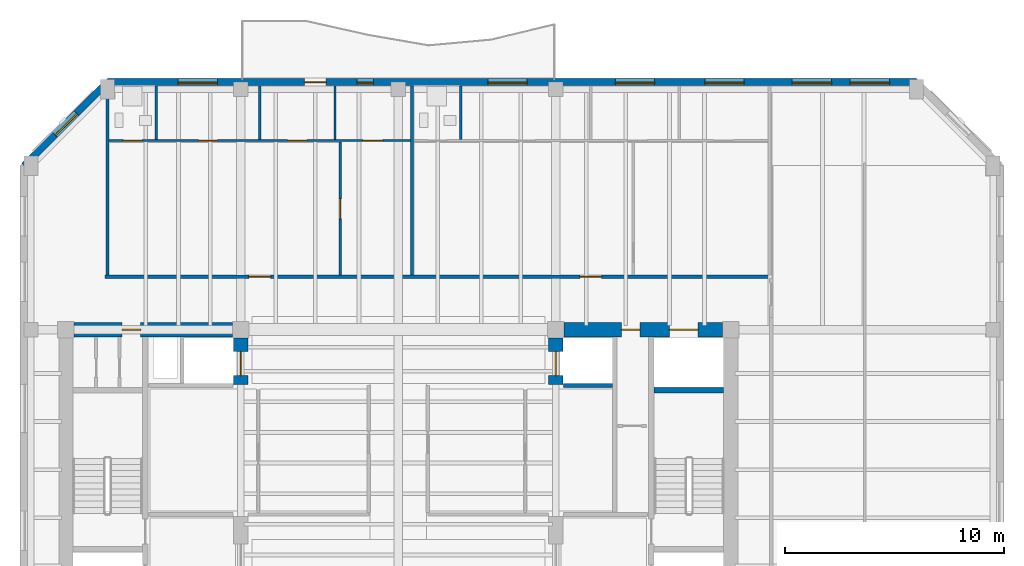
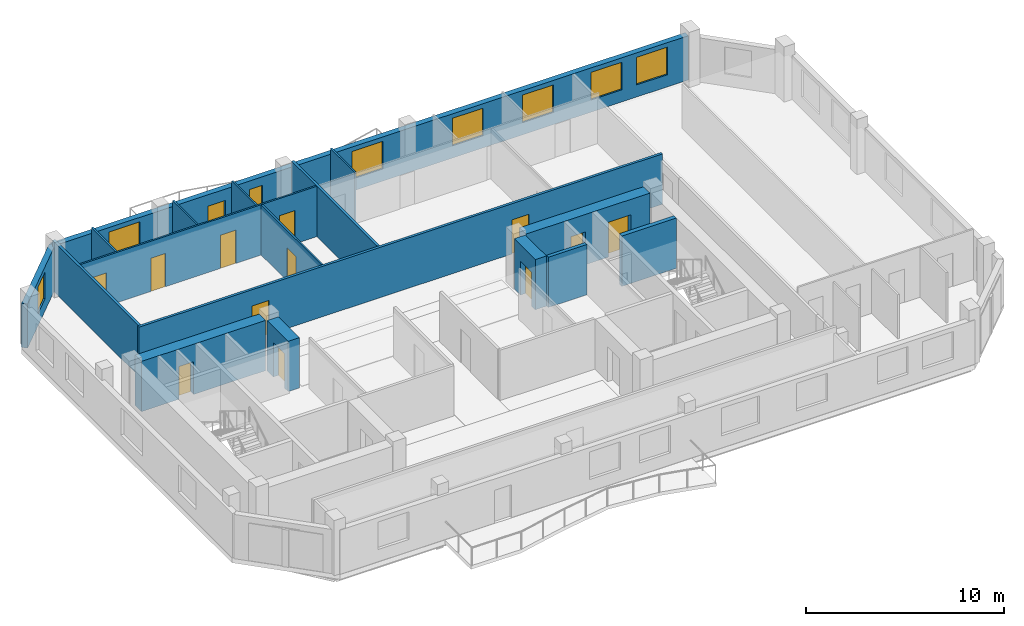
# One storey, part 4 of 9: 17 walls, 13 doors, 8 windows, 21 openings.
"""IFC4 building model written with IfcOpenShell, lengths in metres."""

import ifcopenshell
import ifcopenshell.guid

model = None  # the IFC model being written
_history = None  # IfcOwnerHistory: only IFC2X3 demands one
_inside = {}  # id of a spatial element -> (the spatial element, [elements in it])
_under = {}  # id of a project, library or spatial element -> (it, [spatial elements below it])
_declared = {}  # id of a project -> (the project, [libraries it declares])
_typed = {}  # id of a type object -> (the type object, [elements of that type])
_made_of = {}  # id of a material, layer set ... -> (it, [elements and type objects made of it])


def new_model(schema):
    """Start an empty IFC model of exactly this schema.

    Asked for "IFC4X3", IfcOpenShell would pick the latest addendum, in which some entities
    have other attributes; the version numbers below select the first issue.
    IFC2X3 requires an IfcOwnerHistory on every rooted entity: one is made here for all.
    """
    global model, _history
    if schema == "IFC4X3":
        model = ifcopenshell.file(schema_version=(4, 3, 0, 0))
    else:
        model = ifcopenshell.file(schema=schema)
    _inside.clear()
    _under.clear()
    _declared.clear()
    _typed.clear()
    _made_of.clear()
    _history = None
    if model.schema == "IFC2X3":
        org = make("IfcOrganization", Name="unknown")
        user = make(
            "IfcPersonAndOrganization",
            ThePerson=make("IfcPerson", FamilyName="unknown"),
            TheOrganization=org,
        )
        app = make(
            "IfcApplication",
            ApplicationDeveloper=org,
            Version="unknown",
            ApplicationFullName="unknown",
            ApplicationIdentifier="unknown",
        )
        _history = make(
            "IfcOwnerHistory",
            OwningUser=user,
            OwningApplication=app,
            ChangeAction="ADDED",
            CreationDate=0,
        )
    return model


def make(cls, **values):
    """One entity of the class cls with the attributes given. An attribute that is None is left unset."""
    return model.create_entity(
        cls, **{name: value for name, value in values.items() if value is not None}
    )


def rooted(cls, **values):
    """An entity with a GlobalId (a new one), such as an element, a storey or a relation."""
    return make(cls, GlobalId=ifcopenshell.guid.new(), OwnerHistory=_history, **values)


def si_unit(unit_type, name, prefix=None):
    """IfcSIUnit, for example si_unit("LENGTHUNIT", "METRE", prefix="MILLI")."""
    return make("IfcSIUnit", UnitType=unit_type, Prefix=prefix, Name=name)


def assignment(units):
    """IfcUnitAssignment: the units of a project."""
    return None if units is None else make("IfcUnitAssignment", Units=units)


def point(xyz):
    """IfcCartesianPoint."""
    return None if xyz is None else make("IfcCartesianPoint", Coordinates=xyz)


def direction(xyz):
    """IfcDirection."""
    return None if xyz is None else make("IfcDirection", DirectionRatios=xyz)


def frame(location, z_axis=None, x_axis=None):
    """IfcAxis2Placement3D, a coordinate frame: its origin and axes. An axis left out is left unset."""
    return make(
        "IfcAxis2Placement3D",
        Location=point(location),
        Axis=direction(z_axis),
        RefDirection=direction(x_axis),
    )


def frame_2d(location, x_axis=None):
    """IfcAxis2Placement2D, a coordinate frame in the plane: its origin and x axis."""
    return make(
        "IfcAxis2Placement2D", Location=point(location), RefDirection=direction(x_axis)
    )


def origin():
    """The frame at (0, 0, 0) with its axes left unset."""
    return frame((0.0, 0.0, 0.0))


def place(relative_to, where):
    """IfcLocalPlacement: puts the frame where relative to a parent placement (None: the world)."""
    return make(
        "IfcLocalPlacement", PlacementRelTo=relative_to, RelativePlacement=where
    )


def context(
    kind, dimensions, precision=None, world=None, true_north=None, identifier=None
):
    """IfcGeometricRepresentationContext, for example the 3D "Model" context."""
    return make(
        "IfcGeometricRepresentationContext",
        ContextIdentifier=identifier,
        ContextType=kind,
        CoordinateSpaceDimension=dimensions,
        Precision=precision,
        WorldCoordinateSystem=world,
        TrueNorth=true_north,
    )


def subcontext(parent, identifier, kind, view, scale=None):
    """IfcGeometricRepresentationSubContext, for example "Body" below "Model"."""
    return make(
        "IfcGeometricRepresentationSubContext",
        ContextIdentifier=identifier,
        ContextType=kind,
        ParentContext=parent,
        TargetScale=scale,
        TargetView=view,
    )


def project(units=None, contexts=None):
    """IfcProject with its units and contexts."""
    return rooted(
        "IfcProject",
        Name="project",
        RepresentationContexts=contexts,
        UnitsInContext=assignment(units),
    )


def spatial(cls, under=None, at=None, **own):
    """A site, building, storey or space (cls), placed at a placement, below another one or the project."""
    s = rooted(cls, ObjectPlacement=at, **own)
    if under is not None:
        _under.setdefault(under.id(), (under, []))[1].append(s)
    return s


def profile(cls, at=None, kind="AREA", **sizes):
    """A parametric profile (cls). Its sizes go by their IFC names, for example OverallWidth=200.0."""
    return make(cls, ProfileType=kind, Position=at, **sizes)


def rectangle(**sizes):
    """IfcRectangleProfileDef."""
    return profile("IfcRectangleProfileDef", **sizes)


def extrude(swept, where, along, depth):
    """IfcExtrudedAreaSolid: the profile swept, set in the frame where, extruded along a direction by depth."""
    return make(
        "IfcExtrudedAreaSolid",
        SweptArea=swept,
        Position=where,
        ExtrudedDirection=direction(along),
        Depth=depth,
    )


def shape(context_of_items, identifier, shape_type, items):
    """IfcShapeRepresentation: the items that make up one representation, for example the "Body"."""
    return make(
        "IfcShapeRepresentation",
        ContextOfItems=context_of_items,
        RepresentationIdentifier=identifier,
        RepresentationType=shape_type,
        Items=items,
    )


def material(Name=None, Category=None):
    """IfcMaterial."""
    return make("IfcMaterial", Name=Name, Category=Category)


def layer(
    of_material, thickness, ventilated=None, Name=None, Category=None, Priority=None
):
    """IfcMaterialLayer: one layer of a wall or slab, of a material (None: an air gap)."""
    return make(
        "IfcMaterialLayer",
        Material=of_material,
        LayerThickness=thickness,
        IsVentilated=ventilated,
        Name=Name,
        Category=Category,
        Priority=Priority,
    )


def layer_set(layers, Name=None):
    """IfcMaterialLayerSet."""
    return make("IfcMaterialLayerSet", MaterialLayers=layers, LayerSetName=Name)


def made_of(thing, what):
    """Note that an element or type object is made of a material, layer set ...; save() writes the relation."""
    if what is not None:
        _made_of.setdefault(what.id(), (what, []))[1].append(thing)
    return thing


def type_object(cls, material=None, **own):
    """A type object (cls), such as IfcWallType, which elements share."""
    return made_of(rooted(cls, **own), material)


def element(
    cls,
    number,
    at=None,
    inside=None,
    cuts=None,
    type_object=None,
    material=None,
    context=None,
    identifier="Body",
    shape_type=None,
    held_by="IfcProductDefinitionShape",
    body=None,
    shapes=None,
    **own,
):
    """One element of the class cls, such as IfcWall. Its Tag is "e" and its number.

    at: its placement. inside: the storey or other place that contains it. cuts: it is an
    opening in that element (IfcRelVoidsElement). A single representation is given by context,
    identifier, shape_type and body (its items); several are given by shapes. held_by: the class
    of the entity that holds the representations. save() writes the other relations.
    """
    e = rooted(cls, Tag="e%d" % number, ObjectPlacement=at, **own)
    if body is not None:
        shapes = [shape(context, identifier, shape_type, body)]
    if shapes is not None:
        e.Representation = make(held_by, Representations=shapes)
    if inside is not None:
        _inside.setdefault(inside.id(), (inside, []))[1].append(e)
    if cuts is not None:
        rooted(
            "IfcRelVoidsElement", RelatingBuildingElement=cuts, RelatedOpeningElement=e
        )
    if type_object is not None:
        _typed.setdefault(type_object.id(), (type_object, []))[1].append(e)
    return made_of(e, material)


def fill(opening, filler):
    """IfcRelFillsElement: the door or window that sits in an opening."""
    return rooted(
        "IfcRelFillsElement",
        RelatingOpeningElement=opening,
        RelatedBuildingElement=filler,
    )


def aggregate(whole, parts):
    """IfcRelAggregates: a whole, such as a stair, and the parts it consists of."""
    return rooted("IfcRelAggregates", RelatingObject=whole, RelatedObjects=parts)


def save(model, path):
    """Write the relations noted so far, then the file.

    IfcRelAggregates (storeys below a building ...), IfcRelContainedInSpatialStructure (elements
    in a storey), IfcRelDefinesByType, IfcRelAssociatesMaterial and IfcRelDeclares: one each for
    every whole, place, type object, material and project.
    """
    for whole, parts in _under.values():
        aggregate(whole, parts)
    for where, things in _inside.values():
        rooted(
            "IfcRelContainedInSpatialStructure",
            RelatedElements=things,
            RelatingStructure=where,
        )
    for kind, things in _typed.values():
        rooted("IfcRelDefinesByType", RelatedObjects=things, RelatingType=kind)
    for what, things in _made_of.values():
        rooted("IfcRelAssociatesMaterial", RelatedObjects=things, RelatingMaterial=what)
    for by, libraries in _declared.values():
        rooted("IfcRelDeclares", RelatingContext=by, RelatedDefinitions=libraries)
    model.write(path)


model = new_model("IFC4")

# Units and contexts
model_context = context("Model", 3, precision=1e-05, world=origin(), true_north=direction((0.0, 1.0)))
body_context = subcontext(model_context, "Body", "Model", "MODEL_VIEW")
ifc_project = project(units=[si_unit("LENGTHUNIT", "METRE"), si_unit("AREAUNIT", "SQUARE_METRE"), si_unit("VOLUMEUNIT", "CUBIC_METRE"), si_unit("PLANEANGLEUNIT", "RADIAN"), si_unit("MASSUNIT", "GRAM", prefix="KILO")], contexts=[model_context])

# Site, building, storey
site_placement = place(None, origin())
site = spatial("IfcSite", under=ifc_project, at=site_placement, CompositionType="ELEMENT")
building_placement = place(site_placement, origin())
building = spatial("IfcBuilding", under=site, at=building_placement, Name="Kranthara Brick Stack", CompositionType="ELEMENT")
storey_placement = place(building_placement, frame((0.0, 0.0, 255.10009765625)))
storey = spatial("IfcBuildingStorey", under=building, at=storey_placement, Name="L67", CompositionType="ELEMENT", Elevation=255.10009765625)

# Wall, opening, window
ifc_material_1 = material(Name="Warm buff clay brick masonry M15", Category="masonry")
ifc_layer_1 = layer(ifc_material_1, 0.320068359375)
ifc_layer_set_1 = layer_set([ifc_layer_1], Name="Warm buff clay brick masonry M15")
wall_type_1 = type_object("IfcWallType", Name="WL-BRK-UPPR-320", PredefinedType="STANDARD", material=ifc_layer_set_1)
wall_1_placement = place(storey_placement, frame((10.8798828125, 41.10009765625, 0.0), z_axis=(0.0, 0.0, 1.0), x_axis=(0.70712937715, 0.707084184501, 0.0)))
wall_1 = element("IfcWall", 1, at=wall_1_placement, inside=storey, type_object=wall_type_1, Name="L67 Exterior Brick Facade Wall NW 1", PredefinedType="STANDARD", context=body_context, shape_type="SweptSolid", body=[
    extrude(rectangle(XDim=5.402099609375, YDim=0.320068359375, at=frame_2d((2.701171875, 0.0))), origin(), (0.0, 0.0, 1.0), 2.724853515625),
])
opening_1_placement = place(wall_1_placement, frame((2.0009765625, 0.0, 0.75)))
opening_1 = element("IfcOpeningElement", 2, at=opening_1_placement, cuts=wall_1, Name="Opening WN10", PredefinedType="OPENING", context=body_context, shape_type="SweptSolid", body=[
    extrude(rectangle(XDim=1.39990234375, YDim=1.64990234375, at=frame_2d((0.699951171875, 0.824951171875))), frame((0.0, 0.169921875, 0.0), z_axis=(0.0, -1.0, 0.0), x_axis=(1.0, 0.0, 0.0)), (0.0, 0.0, 1.0), 0.340087890625),
])
ifc_material_2 = material(Name="Double-glazed low-E solar control glass", Category="glass")
window_type_1 = type_object("IfcWindowType", Name="WN-CHM-1400x1750", PartitioningType="SINGLE_PANEL", PredefinedType="WINDOW", material=ifc_material_2)
window_1_placement = place(opening_1_placement, origin())
window_1 = element("IfcWindow", 3, at=window_1_placement, inside=storey, type_object=window_type_1, Name="L67 NW Chamfer Corner Window", OverallHeight=1.64990234375, OverallWidth=1.39990234375, PartitioningType="SINGLE_PANEL", PredefinedType="WINDOW", context=body_context, shape_type="SweptSolid", body=[
    extrude(rectangle(XDim=1.39990234375, YDim=1.64990234375, at=frame_2d((0.699951171875, 0.824951171875))), frame((0.0, -0.010009765625, 0.0), z_axis=(0.0, -1.0, 0.0), x_axis=(1.0, 0.0, 0.0)), (0.0, 0.0, 1.0), 0.06005859375),
])
fill(opening_1, window_1)

# Wall, openings, door, windows
wall_2_placement = place(storey_placement, frame((14.699951171875, 44.919921875, 0.0), z_axis=(0.0, 0.0, 1.0), x_axis=(1.0, 0.0, 0.0)))
wall_2 = element("IfcWall", 4, at=wall_2_placement, inside=storey, type_object=wall_type_1, Name="L67 Exterior Brick Facade Wall NORTH 1", PredefinedType="STANDARD", context=body_context, shape_type="SweptSolid", body=[
    extrude(rectangle(XDim=37.0, YDim=0.320068359375, at=frame_2d((18.5, 0.0))), origin(), (0.0, 0.0, 1.0), 2.724853515625),
])
opening_2_placement = place(wall_2_placement, frame((9.0, 0.0, 0.0)))
opening_2 = element("IfcOpeningElement", 5, at=opening_2_placement, cuts=wall_2, Name="Opening D03", PredefinedType="OPENING", context=body_context, shape_type="SweptSolid", body=[
    extrude(rectangle(XDim=1.0, YDim=2.02001953125, at=frame_2d((0.5, 1.010009765625))), frame((0.0, 0.169921875, 0.0), z_axis=(0.0, -1.0, 0.0), x_axis=(1.0, 0.0, 0.0)), (0.0, 0.0, 1.0), 0.340087890625),
])
opening_3_placement = place(wall_2_placement, frame((3.22802734375, 0.0, 0.75)))
opening_3 = element("IfcOpeningElement", 6, at=opening_3_placement, cuts=wall_2, Name="Opening WN07", PredefinedType="OPENING", context=body_context, shape_type="SweptSolid", body=[
    extrude(rectangle(XDim=1.800048828125, YDim=1.699951171875, at=frame_2d((0.89990234375, 0.85009765625))), frame((0.0, 0.169921875, 0.0), z_axis=(0.0, -1.0, 0.0), x_axis=(1.0, 0.0, 0.0)), (0.0, 0.0, 1.0), 0.340087890625),
])
opening_4_placement = place(wall_2_placement, frame((17.39208984375, 0.0, 0.75)))
opening_4 = element("IfcOpeningElement", 7, at=opening_4_placement, cuts=wall_2, Name="Opening WN07", PredefinedType="OPENING", context=body_context, shape_type="SweptSolid", body=[
    extrude(rectangle(XDim=1.800048828125, YDim=1.699951171875, at=frame_2d((0.89990234375, 0.85009765625))), frame((0.0, 0.169921875, 0.0), z_axis=(0.0, -1.0, 0.0), x_axis=(1.0, 0.0, 0.0)), (0.0, 0.0, 1.0), 0.340087890625),
])
opening_5_placement = place(wall_2_placement, frame((23.22802734375, 0.0, 0.75)))
opening_5 = element("IfcOpeningElement", 8, at=opening_5_placement, cuts=wall_2, Name="Opening WN07", PredefinedType="OPENING", context=body_context, shape_type="SweptSolid", body=[
    extrude(rectangle(XDim=1.800048828125, YDim=1.699951171875, at=frame_2d((0.89990234375, 0.85009765625))), frame((0.0, 0.169921875, 0.0), z_axis=(0.0, -1.0, 0.0), x_axis=(1.0, 0.0, 0.0)), (0.0, 0.0, 1.0), 0.340087890625),
])
opening_6_placement = place(wall_2_placement, frame((27.31591796875, 0.0, 0.75)))
opening_6 = element("IfcOpeningElement", 9, at=opening_6_placement, cuts=wall_2, Name="Opening WN07", PredefinedType="OPENING", context=body_context, shape_type="SweptSolid", body=[
    extrude(rectangle(XDim=1.800048828125, YDim=1.699951171875, at=frame_2d((0.89990234375, 0.85009765625))), frame((0.0, 0.169921875, 0.0), z_axis=(0.0, -1.0, 0.0), x_axis=(1.0, 0.0, 0.0)), (0.0, 0.0, 1.0), 0.340087890625),
])
opening_7_placement = place(wall_2_placement, frame((31.31494140625, 0.0, 0.75)))
opening_7 = element("IfcOpeningElement", 10, at=opening_7_placement, cuts=wall_2, Name="Opening WN07", PredefinedType="OPENING", context=body_context, shape_type="SweptSolid", body=[
    extrude(rectangle(XDim=1.800048828125, YDim=1.699951171875, at=frame_2d((0.89990234375, 0.85009765625))), frame((0.0, 0.169921875, 0.0), z_axis=(0.0, -1.0, 0.0), x_axis=(1.0, 0.0, 0.0)), (0.0, 0.0, 1.0), 0.340087890625),
])
opening_8_placement = place(wall_2_placement, frame((33.965087890625, 0.0, 0.75)))
opening_8 = element("IfcOpeningElement", 11, at=opening_8_placement, cuts=wall_2, Name="Opening WN07", PredefinedType="OPENING", context=body_context, shape_type="SweptSolid", body=[
    extrude(rectangle(XDim=1.800048828125, YDim=1.699951171875, at=frame_2d((0.89990234375, 0.85009765625))), frame((0.0, 0.169921875, 0.0), z_axis=(0.0, -1.0, 0.0), x_axis=(1.0, 0.0, 0.0)), (0.0, 0.0, 1.0), 0.340087890625),
])
opening_9_placement = place(wall_2_placement, frame((11.416015625, 0.0, 0.75)))
opening_9 = element("IfcOpeningElement", 12, at=opening_9_placement, cuts=wall_2, Name="Opening WN13", PredefinedType="OPENING", context=body_context, shape_type="SweptSolid", body=[
    extrude(rectangle(XDim=0.75, YDim=1.449951171875, at=frame_2d((0.375, 0.72509765625))), frame((0.0, 0.169921875, 0.0), z_axis=(0.0, -1.0, 0.0), x_axis=(1.0, 0.0, 0.0)), (0.0, 0.0, 1.0), 0.340087890625),
])
ifc_material_3 = material(Name="Bronze anodised aluminium and laminated glass", Category="aluminium")
door_type_1 = type_object("IfcDoorType", Name="DR-BALC-1000", OperationType="NOTDEFINED", PredefinedType="DOOR", material=ifc_material_3)
door_1_placement = place(opening_2_placement, origin())
door_1 = element("IfcDoor", 13, at=door_1_placement, inside=storey, type_object=door_type_1, Name="L67 North Balcony Terrace Door", OperationType="SINGLE_SWING_RIGHT", OverallHeight=2.02001953125, OverallWidth=1.0, PredefinedType="DOOR", context=body_context, shape_type="SweptSolid", body=[
    extrude(rectangle(XDim=1.0, YDim=2.02001953125, at=frame_2d((0.5, 1.010009765625))), frame((0.0, 0.02490234375, 0.0), z_axis=(0.0, -1.0, 0.0), x_axis=(1.0, 0.0, 0.0)), (0.0, 0.0, 1.0), 0.050048828125),
])
fill(opening_2, door_1)
ifc_material_4 = material(Name="Double-glazed low-E solar control glass", Category="glass")
window_type_2 = type_object("IfcWindowType", Name="WN-CAS-750x1450", PartitioningType="SINGLE_PANEL", PredefinedType="WINDOW", material=ifc_material_4)
window_2_placement = place(opening_9_placement, origin())
window_2 = element("IfcWindow", 14, at=window_2_placement, inside=storey, type_object=window_type_2, Name="L67 North Deep-Set Casement Window 07", OverallHeight=1.449951171875, OverallWidth=0.75, PartitioningType="SINGLE_PANEL", PredefinedType="WINDOW", context=body_context, shape_type="SweptSolid", body=[
    extrude(rectangle(XDim=0.75, YDim=1.449951171875, at=frame_2d((0.375, 0.72509765625))), frame((0.0, -0.010009765625, 0.0), z_axis=(0.0, -1.0, 0.0), x_axis=(1.0, 0.0, 0.0)), (0.0, 0.0, 1.0), 0.06005859375),
])
fill(opening_9, window_2)
ifc_material_5 = material(Name="Double-glazed low-E solar control glass", Category="glass")
window_type_3 = type_object("IfcWindowType", Name="WN-RES-1800x1850", PartitioningType="DOUBLE_PANEL_VERTICAL", PredefinedType="WINDOW", material=ifc_material_5)
window_3_placement = place(opening_3_placement, origin())
window_3 = element("IfcWindow", 15, at=window_3_placement, inside=storey, type_object=window_type_3, Name="L67 North Deep-Set Brick Window 01", OverallHeight=1.699951171875, OverallWidth=1.800048828125, PartitioningType="SINGLE_PANEL", PredefinedType="WINDOW", context=body_context, shape_type="SweptSolid", body=[
    extrude(rectangle(XDim=1.800048828125, YDim=1.699951171875, at=frame_2d((0.89990234375, 0.85009765625))), frame((0.0, -0.010009765625, 0.0), z_axis=(0.0, -1.0, 0.0), x_axis=(1.0, 0.0, 0.0)), (0.0, 0.0, 1.0), 0.06005859375),
])
fill(opening_3, window_3)
window_4_placement = place(opening_4_placement, origin())
window_4 = element("IfcWindow", 16, at=window_4_placement, inside=storey, type_object=window_type_3, Name="L67 North Deep-Set Brick Window 02", OverallHeight=1.699951171875, OverallWidth=1.800048828125, PartitioningType="SINGLE_PANEL", PredefinedType="WINDOW", context=body_context, shape_type="SweptSolid", body=[
    extrude(rectangle(XDim=1.800048828125, YDim=1.699951171875, at=frame_2d((0.89990234375, 0.85009765625))), frame((0.0, -0.010009765625, 0.0), z_axis=(0.0, -1.0, 0.0), x_axis=(1.0, 0.0, 0.0)), (0.0, 0.0, 1.0), 0.06005859375),
])
fill(opening_4, window_4)
window_5_placement = place(opening_5_placement, origin())
window_5 = element("IfcWindow", 17, at=window_5_placement, inside=storey, type_object=window_type_3, Name="L67 North Deep-Set Brick Window 03", OverallHeight=1.699951171875, OverallWidth=1.800048828125, PartitioningType="SINGLE_PANEL", PredefinedType="WINDOW", context=body_context, shape_type="SweptSolid", body=[
    extrude(rectangle(XDim=1.800048828125, YDim=1.699951171875, at=frame_2d((0.89990234375, 0.85009765625))), frame((0.0, -0.010009765625, 0.0), z_axis=(0.0, -1.0, 0.0), x_axis=(1.0, 0.0, 0.0)), (0.0, 0.0, 1.0), 0.06005859375),
])
fill(opening_5, window_5)
window_6_placement = place(opening_6_placement, origin())
window_6 = element("IfcWindow", 18, at=window_6_placement, inside=storey, type_object=window_type_3, Name="L67 North Deep-Set Brick Window 04", OverallHeight=1.699951171875, OverallWidth=1.800048828125, PartitioningType="SINGLE_PANEL", PredefinedType="WINDOW", context=body_context, shape_type="SweptSolid", body=[
    extrude(rectangle(XDim=1.800048828125, YDim=1.699951171875, at=frame_2d((0.89990234375, 0.85009765625))), frame((0.0, -0.010009765625, 0.0), z_axis=(0.0, -1.0, 0.0), x_axis=(1.0, 0.0, 0.0)), (0.0, 0.0, 1.0), 0.06005859375),
])
fill(opening_6, window_6)
window_7_placement = place(opening_7_placement, origin())
window_7 = element("IfcWindow", 19, at=window_7_placement, inside=storey, type_object=window_type_3, Name="L67 North Deep-Set Brick Window 05", OverallHeight=1.699951171875, OverallWidth=1.800048828125, PartitioningType="SINGLE_PANEL", PredefinedType="WINDOW", context=body_context, shape_type="SweptSolid", body=[
    extrude(rectangle(XDim=1.800048828125, YDim=1.699951171875, at=frame_2d((0.89990234375, 0.85009765625))), frame((0.0, -0.010009765625, 0.0), z_axis=(0.0, -1.0, 0.0), x_axis=(1.0, 0.0, 0.0)), (0.0, 0.0, 1.0), 0.06005859375),
])
fill(opening_7, window_7)
window_8_placement = place(opening_8_placement, origin())
window_8 = element("IfcWindow", 20, at=window_8_placement, inside=storey, type_object=window_type_3, Name="L67 North Deep-Set Brick Window 06", OverallHeight=1.699951171875, OverallWidth=1.800048828125, PartitioningType="SINGLE_PANEL", PredefinedType="WINDOW", context=body_context, shape_type="SweptSolid", body=[
    extrude(rectangle(XDim=1.800048828125, YDim=1.699951171875, at=frame_2d((0.89990234375, 0.85009765625))), frame((0.0, -0.010009765625, 0.0), z_axis=(0.0, -1.0, 0.0), x_axis=(1.0, 0.0, 0.0)), (0.0, 0.0, 1.0), 0.06005859375),
])
fill(opening_8, window_8)

# Wall
ifc_material_6 = material(Name="Concrete C50/60", Category="concrete")
ifc_layer_2 = layer(ifc_material_6, 0.25)
ifc_layer_set_2 = layer_set([ifc_layer_2], Name="Concrete C50/60")
wall_type_2 = type_object("IfcWallType", Name="WL-CORE-250", PredefinedType="SHEAR", material=ifc_layer_set_2)
wall_3_placement = place(storey_placement, frame((39.68994140625, 30.830078125, 0.0), z_axis=(0.0, 0.0, 1.0), x_axis=(1.0, 0.0, 0.0)))
element("IfcWall", 21, at=wall_3_placement, inside=storey, type_object=wall_type_2, Name="L67 East Stairwell Bearing Wall EST", PredefinedType="SHEAR", context=body_context, shape_type="SweptSolid", body=[
    extrude(rectangle(XDim=3.175048828125, YDim=0.25, at=frame_2d((1.58740234375, 0.0))), origin(), (0.0, 0.0, 1.0), 3.099853515625),
])

# Wall, opening, door
ifc_material_7 = material(Name="Concrete C60/75", Category="concrete")
ifc_layer_3 = layer(ifc_material_7, 0.64990234375)
ifc_layer_set_3 = layer_set([ifc_layer_3], Name="Concrete C60/75")
wall_type_3 = type_object("IfcWallType", Name="WL-CORE-650", PredefinedType="SHEAR", material=ifc_layer_set_3)
wall_4_placement = place(storey_placement, frame((13.179931640625, 33.60009765625, 0.0), z_axis=(0.0, 0.0, 1.0), x_axis=(1.0, 0.0, 0.0)))
wall_4 = element("IfcWall", 22, at=wall_4_placement, inside=storey, type_object=wall_type_3, Name="L67 West Core Shear Wall North", PredefinedType="SHEAR", context=body_context, shape_type="SweptSolid", body=[
    extrude(rectangle(XDim=7.239990234375, YDim=0.64990234375, at=frame_2d((3.6201171875, 0.0))), origin(), (0.0, 0.0, 1.0), 3.099853515625),
])
opening_10_placement = place(wall_4_placement, frame((2.18994140625, 0.0, 0.0)))
opening_10 = element("IfcOpeningElement", 23, at=opening_10_placement, cuts=wall_4, Name="Opening D10", PredefinedType="OPENING", context=body_context, shape_type="SweptSolid", body=[
    extrude(rectangle(XDim=0.85009765625, YDim=2.02001953125, at=frame_2d((0.425048828125, 1.010009765625))), frame((0.0, 0.3349609375, 0.0), z_axis=(0.0, -1.0, 0.0), x_axis=(1.0, 0.0, 0.0)), (0.0, 0.0, 1.0), 0.669921875),
])
ifc_material_8 = material(Name="Solid-core hardwood timber leaf in steel frame", Category="steel")
door_type_2 = type_object("IfcDoorType", Name="DR-RSR-850", OperationType="NOTDEFINED", PredefinedType="DOOR", material=ifc_material_8)
door_2_placement = place(opening_10_placement, origin())
door_2 = element("IfcDoor", 24, at=door_2_placement, inside=storey, type_object=door_type_2, Name="L67 West Core Service Door 1", OperationType="SINGLE_SWING_RIGHT", OverallHeight=2.02001953125, OverallWidth=0.85009765625, PredefinedType="DOOR", context=body_context, shape_type="SweptSolid", body=[
    extrude(rectangle(XDim=0.85009765625, YDim=2.02001953125, at=frame_2d((0.425048828125, 1.010009765625))), frame((0.0, 0.02490234375, 0.0), z_axis=(0.0, -1.0, 0.0), x_axis=(1.0, 0.0, 0.0)), (0.0, 0.0, 1.0), 0.050048828125),
])
fill(opening_10, door_2)

wall_5_placement = place(storey_placement, frame((20.800048828125, 31.10009765625, 0.0), z_axis=(0.0, 0.0, 1.0), x_axis=(0.0, 1.0, 0.0)))
wall_5 = element("IfcWall", 25, at=wall_5_placement, inside=storey, type_object=wall_type_3, Name="L67 West Core High-Rise Lift Wall", PredefinedType="SHEAR", context=body_context, shape_type="SweptSolid", body=[
    extrude(rectangle(XDim=2.119873046875, YDim=0.64990234375, at=frame_2d((1.06005859375, 0.0))), origin(), (0.0, 0.0, 1.0), 3.099853515625),
])
opening_11_placement = place(wall_5_placement, frame((0.39990234375, 0.0, 0.0)))
opening_11 = element("IfcOpeningElement", 26, at=opening_11_placement, cuts=wall_5, Name="Opening LD02", PredefinedType="OPENING", context=body_context, shape_type="SweptSolid", body=[
    extrude(rectangle(XDim=1.10009765625, YDim=2.10009765625, at=frame_2d((0.550048828125, 1.050048828125))), frame((0.0, 0.3349609375, 0.0), z_axis=(0.0, -1.0, 0.0), x_axis=(1.0, 0.0, 0.0)), (0.0, 0.0, 1.0), 0.669921875),
])
ifc_material_9 = material(Name="Stainless steel sliding landing door", Category="steel")
door_type_3 = type_object("IfcDoorType", Name="DR-LD-PL1100", OperationType="DOUBLE_DOOR_SLIDING", PredefinedType="DOOR", material=ifc_material_9)
door_3_placement = place(opening_11_placement, origin())
door_3 = element("IfcDoor", 27, at=door_3_placement, inside=storey, type_object=door_type_3, Name="L67 PL-07 Lift Landing Door", OperationType="DOUBLE_DOOR_SLIDING", OverallHeight=2.10009765625, OverallWidth=1.10009765625, PredefinedType="DOOR", context=body_context, shape_type="SweptSolid", body=[
    extrude(rectangle(XDim=1.10009765625, YDim=2.10009765625, at=frame_2d((0.550048828125, 1.050048828125))), frame((0.0, 0.02490234375, 0.0), z_axis=(0.0, -1.0, 0.0), x_axis=(1.0, 0.0, 0.0)), (0.0, 0.0, 1.0), 0.050048828125),
])
fill(opening_11, door_3)

# Wall, openings, doors
wall_6_placement = place(storey_placement, frame((35.580078125, 33.60009765625, 0.0), z_axis=(0.0, 0.0, 1.0), x_axis=(1.0, 0.0, 0.0)))
wall_6 = element("IfcWall", 28, at=wall_6_placement, inside=storey, type_object=wall_type_3, Name="L67 East Core Shear Wall North", PredefinedType="SHEAR", context=body_context, shape_type="SweptSolid", body=[
    extrude(rectangle(XDim=7.239990234375, YDim=0.64990234375, at=frame_2d((3.6201171875, 0.0))), origin(), (0.0, 0.0, 1.0), 3.099853515625),
])
opening_12_placement = place(wall_6_placement, frame((4.820068359375, 0.0, 0.0)))
opening_12 = element("IfcOpeningElement", 29, at=opening_12_placement, cuts=wall_6, Name="Opening LD03", PredefinedType="OPENING", context=body_context, shape_type="SweptSolid", body=[
    extrude(rectangle(XDim=1.300048828125, YDim=2.14990234375, at=frame_2d((0.64990234375, 1.074951171875))), frame((0.0, 0.3349609375, 0.0), z_axis=(0.0, -1.0, 0.0), x_axis=(1.0, 0.0, 0.0)), (0.0, 0.0, 1.0), 0.669921875),
])
opening_13_placement = place(wall_6_placement, frame((2.6201171875, 0.0, 0.0)))
opening_13 = element("IfcOpeningElement", 30, at=opening_13_placement, cuts=wall_6, Name="Opening D10", PredefinedType="OPENING", context=body_context, shape_type="SweptSolid", body=[
    extrude(rectangle(XDim=0.85009765625, YDim=2.02001953125, at=frame_2d((0.425048828125, 1.010009765625))), frame((0.0, 0.3349609375, 0.0), z_axis=(0.0, -1.0, 0.0), x_axis=(1.0, 0.0, 0.0)), (0.0, 0.0, 1.0), 0.669921875),
])
ifc_material_10 = material(Name="Stainless steel sliding landing door", Category="steel")
door_type_4 = type_object("IfcDoorType", Name="DR-LD-SV1300", OperationType="DOUBLE_DOOR_SLIDING", PredefinedType="DOOR", material=ifc_material_10)
door_4_placement = place(opening_12_placement, origin())
door_4 = element("IfcDoor", 31, at=door_4_placement, inside=storey, type_object=door_type_4, Name="L67 Stretcher Service Lift SV-01 Landing Door", OperationType="DOUBLE_DOOR_SLIDING", OverallHeight=2.14990234375, OverallWidth=1.300048828125, PredefinedType="DOOR", context=body_context, shape_type="SweptSolid", body=[
    extrude(rectangle(XDim=1.300048828125, YDim=2.14990234375, at=frame_2d((0.64990234375, 1.074951171875))), frame((0.0, 0.02490234375, 0.0), z_axis=(0.0, -1.0, 0.0), x_axis=(1.0, 0.0, 0.0)), (0.0, 0.0, 1.0), 0.050048828125),
])
fill(opening_12, door_4)
door_5_placement = place(opening_13_placement, origin())
door_5 = element("IfcDoor", 32, at=door_5_placement, inside=storey, type_object=door_type_2, Name="L67 East Core Service Room Door", OperationType="SINGLE_SWING_LEFT", OverallHeight=2.02001953125, OverallWidth=0.85009765625, PredefinedType="DOOR", context=body_context, shape_type="SweptSolid", body=[
    extrude(rectangle(XDim=0.85009765625, YDim=2.02001953125, at=frame_2d((0.425048828125, 1.010009765625))), frame((0.0, 0.02490234375, 0.0), z_axis=(0.0, -1.0, 0.0), x_axis=(1.0, 0.0, 0.0)), (0.0, 0.0, 1.0), 0.050048828125),
])
fill(opening_13, door_5)

# Wall, opening, door
wall_7_placement = place(storey_placement, frame((35.199951171875, 31.10009765625, 0.0), z_axis=(0.0, 0.0, 1.0), x_axis=(0.0, 1.0, 0.0)))
wall_7 = element("IfcWall", 33, at=wall_7_placement, inside=storey, type_object=wall_type_3, Name="L67 East Core High-Rise Lift Wall", PredefinedType="SHEAR", context=body_context, shape_type="SweptSolid", body=[
    extrude(rectangle(XDim=2.119873046875, YDim=0.64990234375, at=frame_2d((1.06005859375, 0.0))), origin(), (0.0, 0.0, 1.0), 3.099853515625),
])
opening_14_placement = place(wall_7_placement, frame((0.39990234375, 0.0, 0.0)))
opening_14 = element("IfcOpeningElement", 34, at=opening_14_placement, cuts=wall_7, Name="Opening LD02", PredefinedType="OPENING", context=body_context, shape_type="SweptSolid", body=[
    extrude(rectangle(XDim=1.10009765625, YDim=2.10009765625, at=frame_2d((0.550048828125, 1.050048828125))), frame((0.0, 0.3349609375, 0.0), z_axis=(0.0, -1.0, 0.0), x_axis=(1.0, 0.0, 0.0)), (0.0, 0.0, 1.0), 0.669921875),
])
door_6_placement = place(opening_14_placement, origin())
door_6 = element("IfcDoor", 35, at=door_6_placement, inside=storey, type_object=door_type_3, Name="L67 PL-08 Lift Landing Door", OperationType="DOUBLE_DOOR_SLIDING", OverallHeight=2.10009765625, OverallWidth=1.10009765625, PredefinedType="DOOR", context=body_context, shape_type="SweptSolid", body=[
    extrude(rectangle(XDim=1.10009765625, YDim=2.10009765625, at=frame_2d((0.550048828125, 1.050048828125))), frame((0.0, 0.02490234375, 0.0), z_axis=(0.0, -1.0, 0.0), x_axis=(1.0, 0.0, 0.0)), (0.0, 0.0, 1.0), 0.050048828125),
])
fill(opening_14, door_6)

# Wall, openings, doors
ifc_material_11 = material(Name="Moisture-resistant wet-room partition", Category="other")
ifc_layer_4 = layer(ifc_material_11, 0.10009765625)
ifc_layer_set_4 = layer_set([ifc_layer_4], Name="Moisture-resistant wet-room partition")
wall_type_4 = type_object("IfcWallType", Name="WL-PART-100", PredefinedType="PARTITIONING", material=ifc_layer_set_4)
wall_8_placement = place(storey_placement, frame((14.780029296875, 42.25, 0.0), z_axis=(0.0, 0.0, 1.0), x_axis=(1.0, 0.0, 0.0)))
wall_8 = element("IfcWall", 36, at=wall_8_placement, inside=storey, type_object=wall_type_4, Name="L67 Interior Partition 015", PredefinedType="PARTITIONING", context=body_context, shape_type="SweptSolid", body=[
    extrude(rectangle(XDim=13.888916015625, YDim=0.10009765625, at=frame_2d((6.9443359375, 0.0))), origin(), (0.0, 0.0, 1.0), 3.099853515625),
])
opening_15_placement = place(wall_8_placement, frame((0.64990234375, 0.0, 0.0)))
opening_15 = element("IfcOpeningElement", 37, at=opening_15_placement, cuts=wall_8, Name="Opening D17", PredefinedType="OPENING", context=body_context, shape_type="SweptSolid", body=[
    extrude(rectangle(XDim=0.85009765625, YDim=2.050048828125, at=frame_2d((0.425048828125, 1.02490234375))), frame((0.0, 0.06005859375, 0.0), z_axis=(0.0, -1.0, 0.0), x_axis=(1.0, 0.0, 0.0)), (0.0, 0.0, 1.0), 0.1201171875),
])
opening_16_placement = place(wall_8_placement, frame((4.093017578125, 0.0, 0.0)))
opening_16 = element("IfcOpeningElement", 38, at=opening_16_placement, cuts=wall_8, Name="Opening D16", PredefinedType="OPENING", context=body_context, shape_type="SweptSolid", body=[
    extrude(rectangle(XDim=0.85009765625, YDim=2.050048828125, at=frame_2d((0.425048828125, 1.02490234375))), frame((0.0, 0.06005859375, 0.0), z_axis=(0.0, -1.0, 0.0), x_axis=(1.0, 0.0, 0.0)), (0.0, 0.0, 1.0), 0.1201171875),
])
opening_17_placement = place(wall_8_placement, frame((8.156005859375, 0.0, 0.0)))
opening_17 = element("IfcOpeningElement", 39, at=opening_17_placement, cuts=wall_8, Name="Opening D15", PredefinedType="OPENING", context=body_context, shape_type="SweptSolid", body=[
    extrude(rectangle(XDim=0.89990234375, YDim=2.050048828125, at=frame_2d((0.449951171875, 1.02490234375))), frame((0.0, 0.06005859375, 0.0), z_axis=(0.0, -1.0, 0.0), x_axis=(1.0, 0.0, 0.0)), (0.0, 0.0, 1.0), 0.1201171875),
])
opening_18_placement = place(wall_8_placement, frame((11.597900390625, 0.0, 0.0)))
opening_18 = element("IfcOpeningElement", 40, at=opening_18_placement, cuts=wall_8, Name="Opening D15", PredefinedType="OPENING", context=body_context, shape_type="SweptSolid", body=[
    extrude(rectangle(XDim=0.89990234375, YDim=2.050048828125, at=frame_2d((0.449951171875, 1.02490234375))), frame((0.0, 0.06005859375, 0.0), z_axis=(0.0, -1.0, 0.0), x_axis=(1.0, 0.0, 0.0)), (0.0, 0.0, 1.0), 0.1201171875),
])
ifc_material_12 = material(Name="Solid-core hardwood timber leaf in steel frame", Category="steel")
door_type_5 = type_object("IfcDoorType", Name="DR-INT-850", OperationType="NOTDEFINED", PredefinedType="DOOR", material=ifc_material_12)
door_7_placement = place(opening_16_placement, origin())
door_7 = element("IfcDoor", 41, at=door_7_placement, inside=storey, type_object=door_type_5, Name="L67 Unit L67A Kitchen 12", OperationType="SINGLE_SWING_RIGHT", OverallHeight=2.050048828125, OverallWidth=0.85009765625, PredefinedType="DOOR", context=body_context, shape_type="SweptSolid", body=[
    extrude(rectangle(XDim=0.85009765625, YDim=2.050048828125, at=frame_2d((0.425048828125, 1.02490234375))), frame((0.0, 0.02490234375, 0.0), z_axis=(0.0, -1.0, 0.0), x_axis=(1.0, 0.0, 0.0)), (0.0, 0.0, 1.0), 0.050048828125),
])
fill(opening_16, door_7)
ifc_material_13 = material(Name="Solid-core hardwood timber leaf in steel frame", Category="steel")
door_type_6 = type_object("IfcDoorType", Name="DR-INT-900", OperationType="NOTDEFINED", PredefinedType="DOOR", material=ifc_material_13)
door_8_placement = place(opening_17_placement, origin())
door_8 = element("IfcDoor", 42, at=door_8_placement, inside=storey, type_object=door_type_6, Name="L67 Unit L67A Master Bedroom 13", OperationType="SINGLE_SWING_LEFT", OverallHeight=2.050048828125, OverallWidth=0.89990234375, PredefinedType="DOOR", context=body_context, shape_type="SweptSolid", body=[
    extrude(rectangle(XDim=0.89990234375, YDim=2.050048828125, at=frame_2d((0.449951171875, 1.02490234375))), frame((0.0, 0.02490234375, 0.0), z_axis=(0.0, -1.0, 0.0), x_axis=(1.0, 0.0, 0.0)), (0.0, 0.0, 1.0), 0.050048828125),
])
fill(opening_17, door_8)
door_9_placement = place(opening_18_placement, origin())
door_9 = element("IfcDoor", 43, at=door_9_placement, inside=storey, type_object=door_type_6, Name="L67 Unit L67A Bedroom 2 14", OperationType="SINGLE_SWING_RIGHT", OverallHeight=2.050048828125, OverallWidth=0.89990234375, PredefinedType="DOOR", context=body_context, shape_type="SweptSolid", body=[
    extrude(rectangle(XDim=0.89990234375, YDim=2.050048828125, at=frame_2d((0.449951171875, 1.02490234375))), frame((0.0, 0.02490234375, 0.0), z_axis=(0.0, -1.0, 0.0), x_axis=(1.0, 0.0, 0.0)), (0.0, 0.0, 1.0), 0.050048828125),
])
fill(opening_18, door_9)
ifc_material_14 = material(Name="Solid-core hardwood timber leaf in steel frame", Category="steel")
door_type_7 = type_object("IfcDoorType", Name="DR-WET-850", OperationType="NOTDEFINED", PredefinedType="DOOR", material=ifc_material_14)
door_10_placement = place(opening_15_placement, origin())
door_10 = element("IfcDoor", 44, at=door_10_placement, inside=storey, type_object=door_type_7, Name="L67 Unit L67A Bathroom 11", OperationType="SINGLE_SWING_LEFT", OverallHeight=2.050048828125, OverallWidth=0.85009765625, PredefinedType="DOOR", context=body_context, shape_type="SweptSolid", body=[
    extrude(rectangle(XDim=0.85009765625, YDim=2.050048828125, at=frame_2d((0.425048828125, 1.02490234375))), frame((0.0, 0.02490234375, 0.0), z_axis=(0.0, -1.0, 0.0), x_axis=(1.0, 0.0, 0.0)), (0.0, 0.0, 1.0), 0.050048828125),
])
fill(opening_15, door_10)

# Wall, opening, door
wall_9_placement = place(storey_placement, frame((25.34912109375, 36.10009765625, 0.0), z_axis=(0.0, 0.0, 1.0), x_axis=(0.0, 1.0, 0.0)))
wall_9 = element("IfcWall", 45, at=wall_9_placement, inside=storey, type_object=wall_type_4, Name="L67 Interior Partition 016", PredefinedType="PARTITIONING", context=body_context, shape_type="SweptSolid", body=[
    extrude(rectangle(XDim=6.094970703125, YDim=0.10009765625, at=frame_2d((3.04736328125, 0.0))), origin(), (0.0, 0.0, 1.0), 3.099853515625),
])
opening_19_placement = place(wall_9_placement, frame((2.5849609375, 0.0, 0.0)))
opening_19 = element("IfcOpeningElement", 46, at=opening_19_placement, cuts=wall_9, Name="Opening D15", PredefinedType="OPENING", context=body_context, shape_type="SweptSolid", body=[
    extrude(rectangle(XDim=0.89990234375, YDim=2.050048828125, at=frame_2d((0.449951171875, 1.02490234375))), frame((0.0, 0.06005859375, 0.0), z_axis=(0.0, -1.0, 0.0), x_axis=(1.0, 0.0, 0.0)), (0.0, 0.0, 1.0), 0.1201171875),
])
door_11_placement = place(opening_19_placement, origin())
door_11 = element("IfcDoor", 47, at=door_11_placement, inside=storey, type_object=door_type_6, Name="L67 Unit L67A Bedroom 3 10", OperationType="SINGLE_SWING_RIGHT", OverallHeight=2.050048828125, OverallWidth=0.89990234375, PredefinedType="DOOR", context=body_context, shape_type="SweptSolid", body=[
    extrude(rectangle(XDim=0.89990234375, YDim=2.050048828125, at=frame_2d((0.449951171875, 1.02490234375))), frame((0.0, 0.02490234375, 0.0), z_axis=(0.0, -1.0, 0.0), x_axis=(1.0, 0.0, 0.0)), (0.0, 0.0, 1.0), 0.050048828125),
])
fill(opening_19, door_11)

# Walls
for number, where, z_axis, x_axis, name in (
    (48, (16.929931640625, 42.304931640625, 0.0), (0.0, 0.0, 1.0), (0.0, 1.0, 0.0), "L67 Interior Partition 017"),
    (49, (21.6650390625, 42.304931640625, 0.0), (0.0, 0.0, 1.0), (0.0, 1.0, 0.0), "L67 Interior Partition 018"),
    (50, (25.10693359375, 42.304931640625, 0.0), (0.0, 0.0, 1.0), (0.0, 1.0, 0.0), "L67 Interior Partition 019"),
    (51, (30.85888671875, 42.304931640625, 0.0), (0.0, 0.0, 1.0), (0.0, 1.0, 0.0), "L67 Interior Partition 023"),
):
    element("IfcWall", number, at=place(storey_placement, frame(where, z_axis=z_axis, x_axis=x_axis)), inside=storey, type_object=wall_type_4, Name=name, PredefinedType="PARTITIONING", context=body_context, shape_type="SweptSolid", body=[
        extrude(rectangle(XDim=2.449951171875, YDim=0.10009765625, at=frame_2d((1.22509765625, 0.0))), origin(), (0.0, 0.0, 1.0), 3.099853515625),
    ])

# Wall, openings, doors
ifc_material_15 = material(Name="Fire-rated gypsum board partition", Category="other")
ifc_layer_5 = layer(ifc_material_15, 0.14990234375)
ifc_layer_set_5 = layer_set([ifc_layer_5], Name="Fire-rated gypsum board partition")
wall_type_5 = type_object("IfcWallType", Name="WL-PART-150", PredefinedType="PARTITIONING", material=ifc_layer_set_5)
wall_10_placement = place(storey_placement, frame((14.580078125, 36.02001953125, 0.0), z_axis=(0.0, 0.0, 1.0), x_axis=(1.0, 0.0, 0.0)))
wall_10 = element("IfcWall", 52, at=wall_10_placement, inside=storey, type_object=wall_type_5, Name="L67 Interior Partition 013", PredefinedType="PARTITIONING", context=body_context, shape_type="SweptSolid", body=[
    extrude(rectangle(XDim=30.52001953125, YDim=0.14990234375, at=frame_2d((15.260009765625, 0.0))), origin(), (0.0, 0.0, 1.0), 3.099853515625),
])
opening_20_placement = place(wall_10_placement, frame((6.5849609375, 0.0, 0.0)))
opening_20 = element("IfcOpeningElement", 53, at=opening_20_placement, cuts=wall_10, Name="Opening D08", PredefinedType="OPENING", context=body_context, shape_type="SweptSolid", body=[
    extrude(rectangle(XDim=1.0, YDim=2.10009765625, at=frame_2d((0.5, 1.050048828125))), frame((0.0, 0.0849609375, 0.0), z_axis=(0.0, -1.0, 0.0), x_axis=(1.0, 0.0, 0.0)), (0.0, 0.0, 1.0), 0.169921875),
])
opening_21_placement = place(wall_10_placement, frame((21.72412109375, 0.0, 0.0)))
opening_21 = element("IfcOpeningElement", 54, at=opening_21_placement, cuts=wall_10, Name="Opening D08", PredefinedType="OPENING", context=body_context, shape_type="SweptSolid", body=[
    extrude(rectangle(XDim=1.0, YDim=2.10009765625, at=frame_2d((0.5, 1.050048828125))), frame((0.0, 0.0849609375, 0.0), z_axis=(0.0, -1.0, 0.0), x_axis=(1.0, 0.0, 0.0)), (0.0, 0.0, 1.0), 0.169921875),
])
ifc_material_16 = material(Name="Solid-core hardwood timber leaf in steel frame", Category="steel")
door_type_8 = type_object("IfcDoorType", Name="DR-FD-1000", OperationType="NOTDEFINED", PredefinedType="DOOR", material=ifc_material_16)
door_12_placement = place(opening_20_placement, origin())
door_12 = element("IfcDoor", 55, at=door_12_placement, inside=storey, type_object=door_type_8, Name="L67 Unit L67A Entrance 09", OperationType="SINGLE_SWING_LEFT", OverallHeight=2.10009765625, OverallWidth=1.0, PredefinedType="DOOR", context=body_context, shape_type="SweptSolid", body=[
    extrude(rectangle(XDim=1.0, YDim=2.10009765625, at=frame_2d((0.5, 1.050048828125))), frame((0.0, 0.02490234375, 0.0), z_axis=(0.0, -1.0, 0.0), x_axis=(1.0, 0.0, 0.0)), (0.0, 0.0, 1.0), 0.050048828125),
])
fill(opening_20, door_12)
door_13_placement = place(opening_21_placement, origin())
door_13 = element("IfcDoor", 56, at=door_13_placement, inside=storey, type_object=door_type_8, Name="L67 Unit L67B Entrance 15", OperationType="SINGLE_SWING_LEFT", OverallHeight=2.10009765625, OverallWidth=1.0, PredefinedType="DOOR", context=body_context, shape_type="SweptSolid", body=[
    extrude(rectangle(XDim=1.0, YDim=2.10009765625, at=frame_2d((0.5, 1.050048828125))), frame((0.0, 0.02490234375, 0.0), z_axis=(0.0, -1.0, 0.0), x_axis=(1.0, 0.0, 0.0)), (0.0, 0.0, 1.0), 0.050048828125),
])
fill(opening_21, door_13)

# Walls
for number, where, z_axis, x_axis, name in (
    (57, (14.699951171875, 36.10009765625, 0.0), (0.0, 0.0, 1.0), (0.0, 1.0, 0.0), "L67 Interior Partition 014"),
    (58, (28.62890625, 36.10009765625, 0.0), (0.0, 0.0, 1.0), (0.0, 1.0, 0.0), "L67 Interior Partition 020"),
):
    element("IfcWall", number, at=place(storey_placement, frame(where, z_axis=z_axis, x_axis=x_axis)), inside=storey, type_object=wall_type_5, Name=name, PredefinedType="PARTITIONING", context=body_context, shape_type="SweptSolid", body=[
        extrude(rectangle(XDim=8.65478515625, YDim=0.14990234375, at=frame_2d((4.327392578125, 0.0))), origin(), (0.0, 0.0, 1.0), 3.099853515625),
    ])
ifc_material_17 = material(Name="Concrete C40/50", Category="concrete")
ifc_layer_6 = layer(ifc_material_17, 0.199951171875)
ifc_layer_set_6 = layer_set([ifc_layer_6], Name="Concrete C40/50")
wall_type_6 = type_object("IfcWallType", Name="WL-PART-200", PredefinedType="SOLIDWALL", material=ifc_layer_set_6)
wall_11_placement = place(storey_placement, frame((35.550048828125, 31.050048828125, 0.0), z_axis=(0.0, 0.0, 1.0), x_axis=(1.0, 0.0, 0.0)))
element("IfcWall", 59, at=wall_11_placement, inside=storey, type_object=wall_type_6, Name="L67 East Core Cross Wall EE4", PredefinedType="SOLIDWALL", context=body_context, shape_type="SweptSolid", body=[
    extrude(rectangle(XDim=2.25, YDim=0.199951171875, at=frame_2d((1.125, 0.0))), origin(), (0.0, 0.0, 1.0), 3.099853515625),
])

save(model, "model.ifc")
